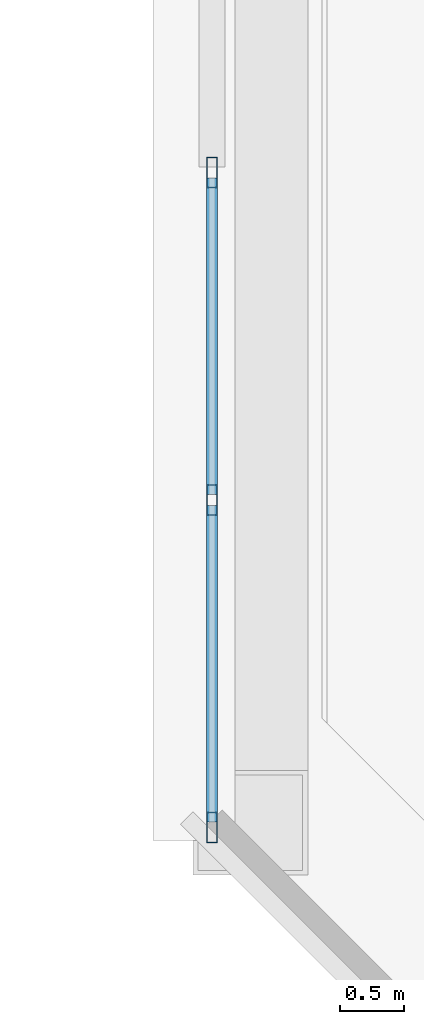
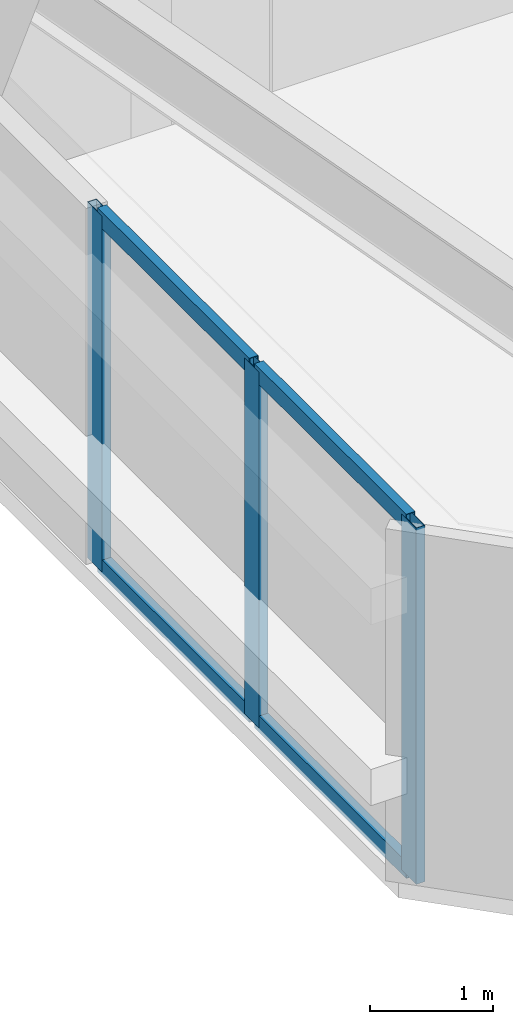
# One storey, part 5 of 75: 7 members, 1 element without a shape of its own.
"""IFC4 building model written with IfcOpenShell, lengths in metres."""

from ifc_helpers import new_model, si_unit, direction, frame, origin, origin_2d, place, context, subcontext, project, spatial, hollow_rectangle, extrude, material, material_profile, profile_set, type_object, element, aggregate, save


model = new_model("IFC4")

# Units and contexts
model_context = context("Model", 3, precision=1e-05, world=origin(), true_north=direction((0.0, 1.0)))
body_context = subcontext(model_context, "Body", "Model", "MODEL_VIEW")
ifc_project = project(units=[si_unit("LENGTHUNIT", "METRE"), si_unit("AREAUNIT", "SQUARE_METRE"), si_unit("VOLUMEUNIT", "CUBIC_METRE"), si_unit("PLANEANGLEUNIT", "RADIAN"), si_unit("MASSUNIT", "GRAM", prefix="KILO")], contexts=[model_context])

# Site, building, storey
site_placement = place(None, origin())
site = spatial("IfcSite", under=ifc_project, at=site_placement, CompositionType="ELEMENT")
building_placement = place(site_placement, origin())
building = spatial("IfcBuilding", under=site, at=building_placement, Name="Tashvorn Skyway Center", CompositionType="ELEMENT")
storey_placement = place(building_placement, frame((0.0, 0.0, 45.89990234375)))
storey = spatial("IfcBuildingStorey", under=building, at=storey_placement, Name="L11", CompositionType="ELEMENT", Elevation=45.89990234375)

# Curtain wall, members
ifc_material = material(Name="Thermally broken bronze-anodized aluminium 6063-T6", Category="aluminium")
curtain_wall_type = type_object("IfcCurtainWallType", Name="CW-CW-Z1", PredefinedType="NOTDEFINED", material=ifc_material)
curtain_wall_placement = place(storey_placement, origin())
curtain_wall = element("IfcCurtainWall", 1, at=curtain_wall_placement, inside=storey, type_object=curtain_wall_type, Name="Tower 1 L11 West Curtain Wall L Glazing Group 1", PredefinedType="NOTDEFINED")
ifc_material_profile_1 = material_profile(ifc_material, hollow_rectangle(XDim=0.0849609375, YDim=0.239990234375, WallThickness=0.0048828125, at=origin_2d()), Name="ALU-MULL-85x240")
ifc_profile_set_1 = profile_set([ifc_material_profile_1], Name="Thermally broken bronze-anodized aluminium 6063-T6")
member_type_1 = type_object("IfcMemberType", Name="CWM-CW-Z1", PredefinedType="MULLION", material=ifc_profile_set_1)
member_1_placement = place(storey_placement, frame((19.1201171875, 12.16259765625, 0.0), z_axis=(0.0, 0.0, 1.0), x_axis=(-1.0, 0.0, 0.0)))
member_1 = element("IfcMember", 2, at=member_1_placement, type_object=member_type_1, Name="CW-Z1 mullion 1", PredefinedType="MULLION", context=body_context, shape_type="SweptSolid", body=[
    extrude(hollow_rectangle(XDim=0.0849609375, YDim=0.239990234375, WallThickness=0.0048828125, at=origin_2d()), origin(), (0.0, 0.0, 1.0), 3.550048828125),
])
member_2_placement = place(storey_placement, frame((19.1201171875, 14.72509765625, 0.0), z_axis=(0.0, 0.0, 1.0), x_axis=(-1.0, 0.0, 0.0)))
member_2 = element("IfcMember", 3, at=member_2_placement, type_object=member_type_1, Name="CW-Z1 mullion 2", PredefinedType="MULLION", context=body_context, shape_type="SweptSolid", body=[
    extrude(hollow_rectangle(XDim=0.0849609375, YDim=0.239990234375, WallThickness=0.0048828125, at=origin_2d()), origin(), (0.0, 0.0, 1.0), 3.550048828125),
])
member_3_placement = place(storey_placement, frame((19.1201171875, 17.28759765625, 0.0), z_axis=(0.0, 0.0, 1.0), x_axis=(-1.0, 0.0, 0.0)))
member_3 = element("IfcMember", 4, at=member_3_placement, type_object=member_type_1, Name="CW-Z1 mullion 3", PredefinedType="MULLION", context=body_context, shape_type="SweptSolid", body=[
    extrude(hollow_rectangle(XDim=0.0849609375, YDim=0.239990234375, WallThickness=0.0048828125, at=origin_2d()), origin(), (0.0, 0.0, 1.0), 3.550048828125),
])
ifc_material_profile_2 = material_profile(ifc_material, hollow_rectangle(XDim=0.0849609375, YDim=0.1650390625, WallThickness=0.0048828125, at=origin_2d()), Name="ALU-TRAN-85x165")
ifc_profile_set_2 = profile_set([ifc_material_profile_2], Name="Thermally broken bronze-anodized aluminium 6063-T6")
member_type_2 = type_object("IfcMemberType", Name="CWT-CW-Z1", PredefinedType="USERDEFINED", material=ifc_profile_set_2)
member_4_placement = place(storey_placement, frame((19.1201171875, 12.205078125, 0.04248046875), z_axis=(0.0, 1.0, 0.0), x_axis=(-1.0, 0.0, 0.0)))
member_4 = element("IfcMember", 5, at=member_4_placement, type_object=member_type_2, Name="CW-Z1 transom 1.1", ObjectType="TRANSOM", PredefinedType="USERDEFINED", context=body_context, shape_type="SweptSolid", body=[
    extrude(hollow_rectangle(XDim=0.0849609375, YDim=0.1650390625, WallThickness=0.0048828125, at=origin_2d()), origin(), (0.0, 0.0, 1.0), 2.4775390625),
])
member_5_placement = place(storey_placement, frame((19.1201171875, 12.205078125, 3.507568359375), z_axis=(0.0, 1.0, 0.0), x_axis=(-1.0, 0.0, 0.0)))
member_5 = element("IfcMember", 6, at=member_5_placement, type_object=member_type_2, Name="CW-Z1 transom 1.2", ObjectType="TRANSOM", PredefinedType="USERDEFINED", context=body_context, shape_type="SweptSolid", body=[
    extrude(hollow_rectangle(XDim=0.0849609375, YDim=0.1650390625, WallThickness=0.0048828125, at=origin_2d()), origin(), (0.0, 0.0, 1.0), 2.4775390625),
])
member_6_placement = place(storey_placement, frame((19.1201171875, 14.767578125, 0.04248046875), z_axis=(0.0, 1.0, 0.0), x_axis=(-1.0, 0.0, 0.0)))
member_6 = element("IfcMember", 7, at=member_6_placement, type_object=member_type_2, Name="CW-Z1 transom 2.1", ObjectType="TRANSOM", PredefinedType="USERDEFINED", context=body_context, shape_type="SweptSolid", body=[
    extrude(hollow_rectangle(XDim=0.0849609375, YDim=0.1650390625, WallThickness=0.0048828125, at=origin_2d()), origin(), (0.0, 0.0, 1.0), 2.4775390625),
])
member_7_placement = place(storey_placement, frame((19.1201171875, 14.767578125, 3.507568359375), z_axis=(0.0, 1.0, 0.0), x_axis=(-1.0, 0.0, 0.0)))
member_7 = element("IfcMember", 8, at=member_7_placement, type_object=member_type_2, Name="CW-Z1 transom 2.2", ObjectType="TRANSOM", PredefinedType="USERDEFINED", context=body_context, shape_type="SweptSolid", body=[
    extrude(hollow_rectangle(XDim=0.0849609375, YDim=0.1650390625, WallThickness=0.0048828125, at=origin_2d()), origin(), (0.0, 0.0, 1.0), 2.4775390625),
])
aggregate(curtain_wall, [member_1, member_2, member_3, member_4, member_5, member_6, member_7])

save(model, "model.ifc")
